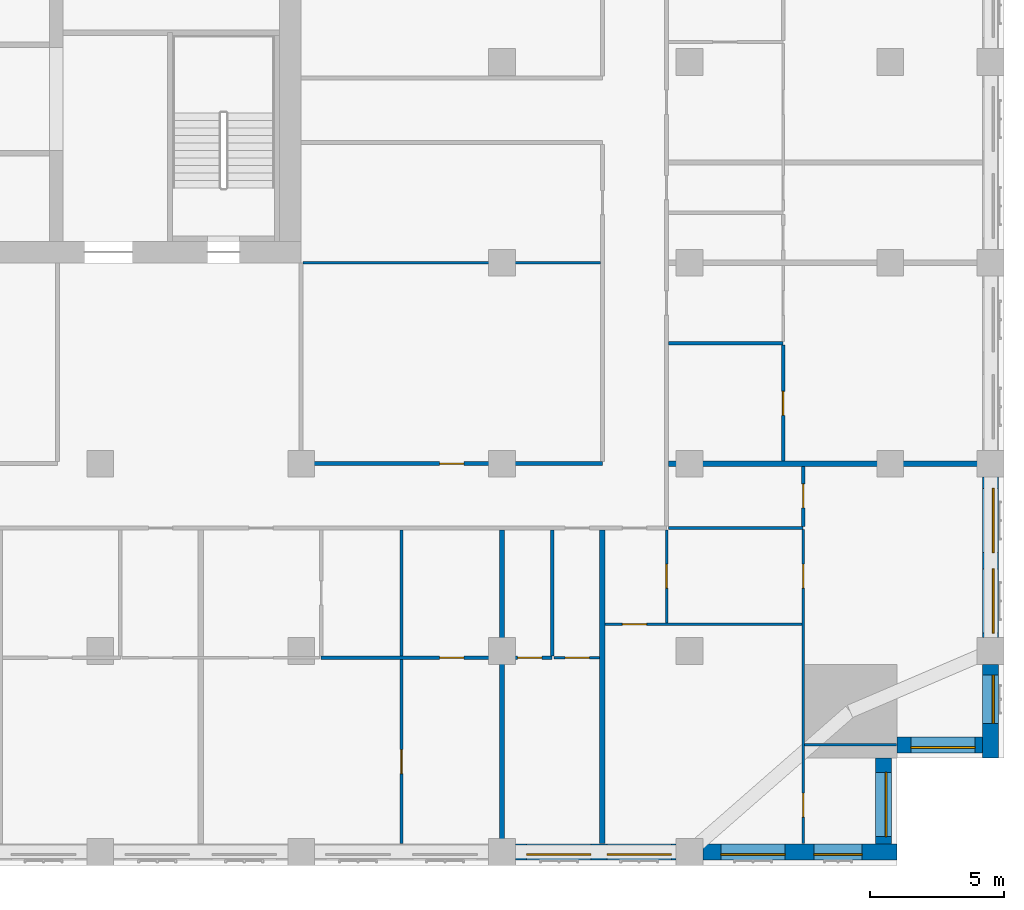
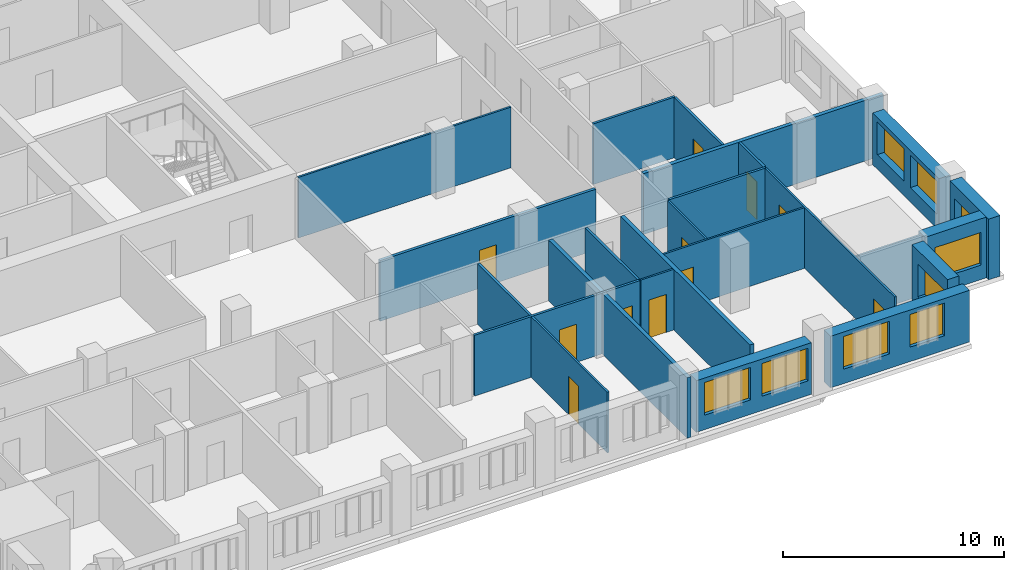
# One storey, part 6 of 14: 24 walls, 11 doors, 9 windows, 20 openings.
"""IFC4 building model written with IfcOpenShell, lengths in metres."""

from ifc_helpers import new_model, si_unit, direction, frame, frame_2d, origin, place, context, subcontext, project, spatial, rectangle, extrude, material, layer, layer_set, type_object, element, fill, save


model = new_model("IFC4")

# Units and contexts
model_context = context("Model", 3, precision=1e-05, world=origin(), true_north=direction((0.0, 1.0)))
body_context = subcontext(model_context, "Body", "Model", "MODEL_VIEW")
ifc_project = project(units=[si_unit("LENGTHUNIT", "METRE"), si_unit("AREAUNIT", "SQUARE_METRE"), si_unit("VOLUMEUNIT", "CUBIC_METRE"), si_unit("PLANEANGLEUNIT", "RADIAN"), si_unit("MASSUNIT", "GRAM", prefix="KILO")], contexts=[model_context])

# Site, building, storey
site_placement = place(None, origin())
site = spatial("IfcSite", under=ifc_project, at=site_placement, CompositionType="ELEMENT")
building_placement = place(site_placement, origin())
building = spatial("IfcBuilding", under=site, at=building_placement, Name="Tamorin Gate", CompositionType="ELEMENT")
storey_placement = place(building_placement, frame((0.0, 0.0, 133.800048828125)))
storey = spatial("IfcBuildingStorey", under=building, at=storey_placement, Name="L32", CompositionType="ELEMENT", Elevation=133.800048828125)

# Wall, openings, windows
ifc_material_1 = material(Name="Precast concrete C40/50", Category="concrete")
ifc_layer_1 = layer(ifc_material_1, 0.60009765625)
ifc_layer_set_1 = layer_set([ifc_layer_1], Name="Precast concrete C40/50")
wall_type_1 = type_object("IfcWallType", Name="Board-marked concrete facade panel 600", PredefinedType="SOLIDWALL", material=ifc_layer_set_1)
wall_1_placement = place(storey_placement, frame((68.0, 38.0, 0.0), z_axis=(0.0, 0.0, 1.0), x_axis=(1.0, 0.0, 0.0)))
wall_1 = element("IfcWall", 1, at=wall_1_placement, inside=storey, type_object=wall_type_1, Name="Facade panel", PredefinedType="SOLIDWALL", context=body_context, shape_type="SweptSolid", body=[
    extrude(rectangle(XDim=6.0, YDim=0.60009765625, at=frame_2d((3.0, 0.0))), origin(), (0.0, 0.0, 1.0), 2.849853515625),
])
opening_1_placement = place(wall_1_placement, frame((0.425048828125, 0.0, 0.800048828125)))
opening_1 = element("IfcOpeningElement", 2, at=opening_1_placement, cuts=wall_1, Name="Opening WN1", PredefinedType="OPENING", context=body_context, shape_type="SweptSolid", body=[
    extrude(rectangle(XDim=2.39990234375, YDim=1.800048828125, at=frame_2d((1.199951171875, 0.89990234375))), frame((0.0, 0.31005859375, 0.0), z_axis=(0.0, -1.0, 0.0), x_axis=(1.0, 0.0, 0.0)), (0.0, 0.0, 1.0), 0.6201171875),
])
opening_2_placement = place(wall_1_placement, frame((3.425048828125, 0.0, 0.800048828125)))
opening_2 = element("IfcOpeningElement", 3, at=opening_2_placement, cuts=wall_1, Name="Opening WN1", PredefinedType="OPENING", context=body_context, shape_type="SweptSolid", body=[
    extrude(rectangle(XDim=2.39990234375, YDim=1.800048828125, at=frame_2d((1.199951171875, 0.89990234375))), frame((0.0, 0.31005859375, 0.0), z_axis=(0.0, -1.0, 0.0), x_axis=(1.0, 0.0, 0.0)), (0.0, 0.0, 1.0), 0.6201171875),
])
ifc_material_2 = material(Name="Clear glass in aluminium frame", Category="aluminium")
window_type_1 = type_object("IfcWindowType", Name="Deep-set window 2400x1800", PartitioningType="SINGLE_PANEL", PredefinedType="WINDOW", material=ifc_material_2)
window_1_placement = place(opening_1_placement, origin())
window_1 = element("IfcWindow", 4, at=window_1_placement, inside=storey, type_object=window_type_1, Name="Deep-set window", OverallHeight=1.800048828125, OverallWidth=2.39990234375, PartitioningType="SINGLE_PANEL", PredefinedType="WINDOW", context=body_context, shape_type="SweptSolid", body=[
    extrude(rectangle(XDim=2.39990234375, YDim=1.800048828125, at=frame_2d((1.199951171875, 0.89990234375))), frame((0.0, -0.070068359375, 0.0), z_axis=(0.0, -1.0, 0.0), x_axis=(1.0, 0.0, 0.0)), (0.0, 0.0, 1.0), 0.06005859375),
])
fill(opening_1, window_1)
window_2_placement = place(opening_2_placement, origin())
window_2 = element("IfcWindow", 5, at=window_2_placement, inside=storey, type_object=window_type_1, Name="Deep-set window", OverallHeight=1.800048828125, OverallWidth=2.39990234375, PartitioningType="SINGLE_PANEL", PredefinedType="WINDOW", context=body_context, shape_type="SweptSolid", body=[
    extrude(rectangle(XDim=2.39990234375, YDim=1.800048828125, at=frame_2d((1.199951171875, 0.89990234375))), frame((0.0, -0.070068359375, 0.0), z_axis=(0.0, -1.0, 0.0), x_axis=(1.0, 0.0, 0.0)), (0.0, 0.0, 1.0), 0.06005859375),
])
fill(opening_2, window_2)

wall_2_placement = place(storey_placement, frame((75.0, 38.0, 0.0), z_axis=(0.0, 0.0, 1.0), x_axis=(1.0, 0.0, 0.0)))
wall_2 = element("IfcWall", 6, at=wall_2_placement, inside=storey, type_object=wall_type_1, Name="Facade panel", PredefinedType="SOLIDWALL", context=body_context, shape_type="SweptSolid", body=[
    extrude(rectangle(XDim=7.25, YDim=0.60009765625, at=frame_2d((3.625, 0.0))), origin(), (0.0, 0.0, 1.0), 2.849853515625),
])
opening_3_placement = place(wall_2_placement, frame((0.675048828125, 0.0, 0.800048828125)))
opening_3 = element("IfcOpeningElement", 7, at=opening_3_placement, cuts=wall_2, Name="Opening WN1", PredefinedType="OPENING", context=body_context, shape_type="SweptSolid", body=[
    extrude(rectangle(XDim=2.39990234375, YDim=1.800048828125, at=frame_2d((1.199951171875, 0.89990234375))), frame((0.0, 0.31005859375, 0.0), z_axis=(0.0, -1.0, 0.0), x_axis=(1.0, 0.0, 0.0)), (0.0, 0.0, 1.0), 0.6201171875),
])
opening_4_placement = place(wall_2_placement, frame((4.14990234375, 0.0, 0.800048828125)))
opening_4 = element("IfcOpeningElement", 8, at=opening_4_placement, cuts=wall_2, Name="Opening WN2", PredefinedType="OPENING", context=body_context, shape_type="SweptSolid", body=[
    extrude(rectangle(XDim=1.800048828125, YDim=1.800048828125, at=frame_2d((0.89990234375, 0.89990234375))), frame((0.0, 0.31005859375, 0.0), z_axis=(0.0, -1.0, 0.0), x_axis=(1.0, 0.0, 0.0)), (0.0, 0.0, 1.0), 0.6201171875),
])
window_type_2 = type_object("IfcWindowType", Name="Deep-set window 1800x1800", PartitioningType="SINGLE_PANEL", PredefinedType="WINDOW", material=ifc_material_2)
window_3_placement = place(opening_4_placement, origin())
window_3 = element("IfcWindow", 9, at=window_3_placement, inside=storey, type_object=window_type_2, Name="Deep-set window", OverallHeight=1.800048828125, OverallWidth=1.800048828125, PartitioningType="SINGLE_PANEL", PredefinedType="WINDOW", context=body_context, shape_type="SweptSolid", body=[
    extrude(rectangle(XDim=1.800048828125, YDim=1.800048828125, at=frame_2d((0.89990234375, 0.89990234375))), frame((0.0, -0.070068359375, 0.0), z_axis=(0.0, -1.0, 0.0), x_axis=(1.0, 0.0, 0.0)), (0.0, 0.0, 1.0), 0.06005859375),
])
fill(opening_4, window_3)
window_4_placement = place(opening_3_placement, origin())
window_4 = element("IfcWindow", 10, at=window_4_placement, inside=storey, type_object=window_type_1, Name="Deep-set window", OverallHeight=1.800048828125, OverallWidth=2.39990234375, PartitioningType="SINGLE_PANEL", PredefinedType="WINDOW", context=body_context, shape_type="SweptSolid", body=[
    extrude(rectangle(XDim=2.39990234375, YDim=1.800048828125, at=frame_2d((1.199951171875, 0.89990234375))), frame((0.0, -0.070068359375, 0.0), z_axis=(0.0, -1.0, 0.0), x_axis=(1.0, 0.0, 0.0)), (0.0, 0.0, 1.0), 0.06005859375),
])
fill(opening_3, window_4)

# Wall, opening, window
wall_3_placement = place(storey_placement, frame((81.75, 38.300048828125, 0.0), z_axis=(0.0, 0.0, 1.0), x_axis=(0.0, 1.0, 0.0)))
wall_3 = element("IfcWall", 11, at=wall_3_placement, inside=storey, type_object=wall_type_1, Name="Facade panel", PredefinedType="SOLIDWALL", context=body_context, shape_type="SweptSolid", body=[
    extrude(rectangle(XDim=3.199951171875, YDim=0.60009765625, at=frame_2d((1.60009765625, 0.0))), origin(), (0.0, 0.0, 1.0), 3.349853515625),
])
opening_5_placement = place(wall_3_placement, frame((0.27490234375, 0.0, 0.800048828125)))
opening_5 = element("IfcOpeningElement", 12, at=opening_5_placement, cuts=wall_3, Name="Opening WN1", PredefinedType="OPENING", context=body_context, shape_type="SweptSolid", body=[
    extrude(rectangle(XDim=2.39990234375, YDim=1.800048828125, at=frame_2d((1.199951171875, 0.89990234375))), frame((0.0, 0.31005859375, 0.0), z_axis=(0.0, -1.0, 0.0), x_axis=(1.0, 0.0, 0.0)), (0.0, 0.0, 1.0), 0.6201171875),
])
window_5_placement = place(opening_5_placement, origin())
window_5 = element("IfcWindow", 13, at=window_5_placement, inside=storey, type_object=window_type_1, Name="Deep-set window", OverallHeight=1.800048828125, OverallWidth=2.39990234375, PartitioningType="SINGLE_PANEL", PredefinedType="WINDOW", context=body_context, shape_type="SweptSolid", body=[
    extrude(rectangle(XDim=2.39990234375, YDim=1.800048828125, at=frame_2d((1.199951171875, 0.89990234375))), frame((0.0, -0.070068359375, 0.0), z_axis=(0.0, -1.0, 0.0), x_axis=(1.0, 0.0, 0.0)), (0.0, 0.0, 1.0), 0.06005859375),
])
fill(opening_5, window_5)

wall_4_placement = place(storey_placement, frame((82.25, 42.0, 0.0), z_axis=(0.0, 0.0, 1.0), x_axis=(1.0, 0.0, 0.0)))
wall_4 = element("IfcWall", 14, at=wall_4_placement, inside=storey, type_object=wall_type_1, Name="Facade panel", PredefinedType="SOLIDWALL", context=body_context, shape_type="SweptSolid", body=[
    extrude(rectangle(XDim=3.199951171875, YDim=0.60009765625, at=frame_2d((1.60009765625, 0.0))), origin(), (0.0, 0.0, 1.0), 3.349853515625),
])
opening_6_placement = place(wall_4_placement, frame((0.52490234375, 0.0, 0.800048828125)))
opening_6 = element("IfcOpeningElement", 15, at=opening_6_placement, cuts=wall_4, Name="Opening WN1", PredefinedType="OPENING", context=body_context, shape_type="SweptSolid", body=[
    extrude(rectangle(XDim=2.39990234375, YDim=1.800048828125, at=frame_2d((1.199951171875, 0.89990234375))), frame((0.0, 0.31005859375, 0.0), z_axis=(0.0, -1.0, 0.0), x_axis=(1.0, 0.0, 0.0)), (0.0, 0.0, 1.0), 0.6201171875),
])
window_6_placement = place(opening_6_placement, origin())
window_6 = element("IfcWindow", 16, at=window_6_placement, inside=storey, type_object=window_type_1, Name="Deep-set window", OverallHeight=1.800048828125, OverallWidth=2.39990234375, PartitioningType="SINGLE_PANEL", PredefinedType="WINDOW", context=body_context, shape_type="SweptSolid", body=[
    extrude(rectangle(XDim=2.39990234375, YDim=1.800048828125, at=frame_2d((1.199951171875, 0.89990234375))), frame((0.0, -0.070068359375, 0.0), z_axis=(0.0, -1.0, 0.0), x_axis=(1.0, 0.0, 0.0)), (0.0, 0.0, 1.0), 0.06005859375),
])
fill(opening_6, window_6)

wall_5_placement = place(storey_placement, frame((85.75, 41.5, 0.0), z_axis=(0.0, 0.0, 1.0), x_axis=(0.0, 1.0, 0.0)))
wall_5 = element("IfcWall", 17, at=wall_5_placement, inside=storey, type_object=wall_type_1, Name="Facade panel", PredefinedType="SOLIDWALL", context=body_context, shape_type="SweptSolid", body=[
    extrude(rectangle(XDim=3.5, YDim=0.60009765625, at=frame_2d((1.75, 0.0))), origin(), (0.0, 0.0, 1.0), 3.349853515625),
])
opening_7_placement = place(wall_5_placement, frame((1.300048828125, 0.0, 0.800048828125)))
opening_7 = element("IfcOpeningElement", 18, at=opening_7_placement, cuts=wall_5, Name="Opening WN2", PredefinedType="OPENING", context=body_context, shape_type="SweptSolid", body=[
    extrude(rectangle(XDim=1.800048828125, YDim=1.800048828125, at=frame_2d((0.89990234375, 0.89990234375))), frame((0.0, 0.31005859375, 0.0), z_axis=(0.0, -1.0, 0.0), x_axis=(1.0, 0.0, 0.0)), (0.0, 0.0, 1.0), 0.6201171875),
])
window_7_placement = place(opening_7_placement, origin())
window_7 = element("IfcWindow", 19, at=window_7_placement, inside=storey, type_object=window_type_2, Name="Deep-set window", OverallHeight=1.800048828125, OverallWidth=1.800048828125, PartitioningType="SINGLE_PANEL", PredefinedType="WINDOW", context=body_context, shape_type="SweptSolid", body=[
    extrude(rectangle(XDim=1.800048828125, YDim=1.800048828125, at=frame_2d((0.89990234375, 0.89990234375))), frame((0.0, -0.070068359375, 0.0), z_axis=(0.0, -1.0, 0.0), x_axis=(1.0, 0.0, 0.0)), (0.0, 0.0, 1.0), 0.06005859375),
])
fill(opening_7, window_7)

# Wall, openings, windows
wall_6_placement = place(storey_placement, frame((85.75, 46.0, 0.0), z_axis=(0.0, 0.0, 1.0), x_axis=(0.0, 1.0, 0.0)))
wall_6 = element("IfcWall", 20, at=wall_6_placement, inside=storey, type_object=wall_type_1, Name="Facade panel", PredefinedType="SOLIDWALL", context=body_context, shape_type="SweptSolid", body=[
    extrude(rectangle(XDim=6.0, YDim=0.60009765625, at=frame_2d((3.0, 0.0))), origin(), (0.0, 0.0, 1.0), 2.849853515625),
])
opening_8_placement = place(wall_6_placement, frame((0.175048828125, 0.0, 0.800048828125)))
opening_8 = element("IfcOpeningElement", 21, at=opening_8_placement, cuts=wall_6, Name="Opening WN1", PredefinedType="OPENING", context=body_context, shape_type="SweptSolid", body=[
    extrude(rectangle(XDim=2.39990234375, YDim=1.800048828125, at=frame_2d((1.199951171875, 0.89990234375))), frame((0.0, 0.31005859375, 0.0), z_axis=(0.0, -1.0, 0.0), x_axis=(1.0, 0.0, 0.0)), (0.0, 0.0, 1.0), 0.6201171875),
])
opening_9_placement = place(wall_6_placement, frame((3.175048828125, 0.0, 0.800048828125)))
opening_9 = element("IfcOpeningElement", 22, at=opening_9_placement, cuts=wall_6, Name="Opening WN1", PredefinedType="OPENING", context=body_context, shape_type="SweptSolid", body=[
    extrude(rectangle(XDim=2.39990234375, YDim=1.800048828125, at=frame_2d((1.199951171875, 0.89990234375))), frame((0.0, 0.31005859375, 0.0), z_axis=(0.0, -1.0, 0.0), x_axis=(1.0, 0.0, 0.0)), (0.0, 0.0, 1.0), 0.6201171875),
])
window_8_placement = place(opening_8_placement, origin())
window_8 = element("IfcWindow", 23, at=window_8_placement, inside=storey, type_object=window_type_1, Name="Deep-set window", OverallHeight=1.800048828125, OverallWidth=2.39990234375, PartitioningType="SINGLE_PANEL", PredefinedType="WINDOW", context=body_context, shape_type="SweptSolid", body=[
    extrude(rectangle(XDim=2.39990234375, YDim=1.800048828125, at=frame_2d((1.199951171875, 0.89990234375))), frame((0.0, -0.070068359375, 0.0), z_axis=(0.0, -1.0, 0.0), x_axis=(1.0, 0.0, 0.0)), (0.0, 0.0, 1.0), 0.06005859375),
])
fill(opening_8, window_8)
window_9_placement = place(opening_9_placement, origin())
window_9 = element("IfcWindow", 24, at=window_9_placement, inside=storey, type_object=window_type_1, Name="Deep-set window", OverallHeight=1.800048828125, OverallWidth=2.39990234375, PartitioningType="SINGLE_PANEL", PredefinedType="WINDOW", context=body_context, shape_type="SweptSolid", body=[
    extrude(rectangle(XDim=2.39990234375, YDim=1.800048828125, at=frame_2d((1.199951171875, 0.89990234375))), frame((0.0, -0.070068359375, 0.0), z_axis=(0.0, -1.0, 0.0), x_axis=(1.0, 0.0, 0.0)), (0.0, 0.0, 1.0), 0.06005859375),
])
fill(opening_9, window_9)

# Wall, opening, door
ifc_material_3 = material(Name="Gypsum board partition")
ifc_layer_2 = layer(ifc_material_3, 0.14990234375)
ifc_layer_set_2 = layer_set([ifc_layer_2], Name="Corridor wall 150")
wall_type_2 = type_object("IfcWallType", Name="Corridor wall 150", PredefinedType="PARTITIONING", material=ifc_layer_set_2)
wall_7_placement = place(storey_placement, frame((60.0, 52.5, 0.0), z_axis=(0.0, 0.0, 1.0), x_axis=(1.0, 0.0, 0.0)))
wall_7 = element("IfcWall", 25, at=wall_7_placement, inside=storey, type_object=wall_type_2, Name="Corridor wall 150", PredefinedType="PARTITIONING", context=body_context, shape_type="SweptSolid", body=[
    extrude(rectangle(XDim=11.25, YDim=0.14990234375, at=frame_2d((5.625, 0.0))), origin(), (0.0, 0.0, 1.0), 3.349853515625),
])
opening_10_placement = place(wall_7_placement, frame((5.175048828125, 0.0, 0.0)))
opening_10 = element("IfcOpeningElement", 26, at=opening_10_placement, cuts=wall_7, Name="Opening DS2069", PredefinedType="OPENING", context=body_context, shape_type="SweptSolid", body=[
    extrude(rectangle(XDim=0.89990234375, YDim=2.10009765625, at=frame_2d((0.449951171875, 1.050048828125))), frame((0.0, 0.0849609375, 0.0), z_axis=(0.0, -1.0, 0.0), x_axis=(1.0, 0.0, 0.0)), (0.0, 0.0, 1.0), 0.169921875),
])
ifc_material_4 = material(Name="Timber door leaf", Category="wood")
door_type_1 = type_object("IfcDoorType", Name="Door 900 x 2100 FD30S", OperationType="NOTDEFINED", PredefinedType="DOOR", material=ifc_material_4)
door_1_placement = place(opening_10_placement, origin())
door_1 = element("IfcDoor", 27, at=door_1_placement, inside=storey, type_object=door_type_1, Name="Door DS2069", OperationType="SINGLE_SWING_LEFT", OverallHeight=2.10009765625, OverallWidth=0.89990234375, PredefinedType="DOOR", context=body_context, shape_type="SweptSolid", body=[
    extrude(rectangle(XDim=0.89990234375, YDim=2.10009765625, at=frame_2d((0.449951171875, 1.050048828125))), frame((0.0, 0.02490234375, 0.0), z_axis=(0.0, -1.0, 0.0), x_axis=(1.0, 0.0, 0.0)), (0.0, 0.0, 1.0), 0.050048828125),
])
fill(opening_10, door_1)

# Walls
ifc_layer_3 = layer(ifc_material_3, 0.199951171875)
ifc_layer_set_3 = layer_set([ifc_layer_3], Name="Demising wall 200")
wall_type_3 = type_object("IfcWallType", Name="Demising wall 200", PredefinedType="PARTITIONING", material=ifc_layer_set_3)
for number, where, z_axis, x_axis, name in (
    (28, (73.72509765625, 52.5, 0.0), (0.0, 0.0, 1.0), (1.0, 0.0, 0.0), "Demising wall 200"),
    (29, (67.5, 37.5, 0.0), (0.0, 0.0, 1.0), (0.0, 1.0, 0.0), "Demising wall 200"),
):
    element("IfcWall", number, at=place(storey_placement, frame(where, z_axis=z_axis, x_axis=x_axis)), inside=storey, type_object=wall_type_3, Name=name, PredefinedType="PARTITIONING", context=body_context, shape_type="SweptSolid", body=[
        extrude(rectangle(XDim=12.52490234375, YDim=0.199951171875, at=frame_2d((6.262451171875, 0.0))), origin(), (0.0, 0.0, 1.0), 3.349853515625),
    ])
wall_8_placement = place(storey_placement, frame((71.25, 38.31005859375, 0.0), z_axis=(0.0, 0.0, 1.0), x_axis=(0.0, 1.0, 0.0)))
element("IfcWall", 30, at=wall_8_placement, inside=storey, type_object=wall_type_3, Name="Demising wall 200", PredefinedType="PARTITIONING", context=body_context, shape_type="SweptSolid", body=[
    extrude(rectangle(XDim=11.71484375, YDim=0.199951171875, at=frame_2d((5.857421875, 0.0))), origin(), (0.0, 0.0, 1.0), 3.349853515625),
])
ifc_layer_4 = layer(ifc_material_3, 0.10009765625)
ifc_layer_set_4 = layer_set([ifc_layer_4], Name="Room partition 100")
wall_type_4 = type_object("IfcWallType", Name="Room partition 100", PredefinedType="PARTITIONING", material=ifc_layer_set_4)
wall_9_placement = place(storey_placement, frame((78.800048828125, 42.0, 0.0), z_axis=(0.0, 0.0, 1.0), x_axis=(1.0, 0.0, 0.0)))
element("IfcWall", 31, at=wall_9_placement, inside=storey, type_object=wall_type_4, Name="Room partition 100", PredefinedType="PARTITIONING", context=body_context, shape_type="SweptSolid", body=[
    extrude(rectangle(XDim=3.43994140625, YDim=0.10009765625, at=frame_2d((1.719970703125, 0.0))), origin(), (0.0, 0.0, 1.0), 3.349853515625),
])

# Wall, opening, door
wall_10_placement = place(storey_placement, frame((69.4375, 45.25, 0.0), z_axis=(0.0, 0.0, 1.0), x_axis=(1.0, 0.0, 0.0)))
wall_10 = element("IfcWall", 32, at=wall_10_placement, inside=storey, type_object=wall_type_4, Name="Room partition 100", PredefinedType="PARTITIONING", context=body_context, shape_type="SweptSolid", body=[
    extrude(rectangle(XDim=1.71240234375, YDim=0.10009765625, at=frame_2d((0.856201171875, 0.0))), origin(), (0.0, 0.0, 1.0), 3.349853515625),
])
opening_11_placement = place(wall_10_placement, frame((0.425048828125, 0.0, 0.0)))
opening_11 = element("IfcOpeningElement", 33, at=opening_11_placement, cuts=wall_10, Name="Opening DS2018", PredefinedType="OPENING", context=body_context, shape_type="SweptSolid", body=[
    extrude(rectangle(XDim=0.89990234375, YDim=2.10009765625, at=frame_2d((0.449951171875, 1.050048828125))), frame((0.0, 0.06005859375, 0.0), z_axis=(0.0, -1.0, 0.0), x_axis=(1.0, 0.0, 0.0)), (0.0, 0.0, 1.0), 0.1201171875),
])
door_type_2 = type_object("IfcDoorType", Name="Door 900 x 2100", OperationType="NOTDEFINED", PredefinedType="DOOR", material=ifc_material_4)
door_2_placement = place(opening_11_placement, origin())
door_2 = element("IfcDoor", 34, at=door_2_placement, inside=storey, type_object=door_type_2, Name="Door DS2018", OperationType="SINGLE_SWING_LEFT", OverallHeight=2.10009765625, OverallWidth=0.89990234375, PredefinedType="DOOR", context=body_context, shape_type="SweptSolid", body=[
    extrude(rectangle(XDim=0.89990234375, YDim=2.10009765625, at=frame_2d((0.449951171875, 1.050048828125))), frame((0.0, 0.02490234375, 0.0), z_axis=(0.0, -1.0, 0.0), x_axis=(1.0, 0.0, 0.0)), (0.0, 0.0, 1.0), 0.050048828125),
])
fill(opening_11, door_2)

wall_11_placement = place(storey_placement, frame((71.35009765625, 46.5, 0.0), z_axis=(0.0, 0.0, 1.0), x_axis=(1.0, 0.0, 0.0)))
wall_11 = element("IfcWall", 35, at=wall_11_placement, inside=storey, type_object=wall_type_4, Name="Room partition 100", PredefinedType="PARTITIONING", context=body_context, shape_type="SweptSolid", body=[
    extrude(rectangle(XDim=7.349853515625, YDim=0.10009765625, at=frame_2d((3.6748046875, 0.0))), origin(), (0.0, 0.0, 1.0), 3.349853515625),
])
opening_12_placement = place(wall_11_placement, frame((0.64990234375, 0.0, 0.0)))
opening_12 = element("IfcOpeningElement", 36, at=opening_12_placement, cuts=wall_11, Name="Opening DS2055", PredefinedType="OPENING", context=body_context, shape_type="SweptSolid", body=[
    extrude(rectangle(XDim=0.89990234375, YDim=2.10009765625, at=frame_2d((0.449951171875, 1.050048828125))), frame((0.0, 0.06005859375, 0.0), z_axis=(0.0, -1.0, 0.0), x_axis=(1.0, 0.0, 0.0)), (0.0, 0.0, 1.0), 0.1201171875),
])
door_3_placement = place(opening_12_placement, origin())
door_3 = element("IfcDoor", 37, at=door_3_placement, inside=storey, type_object=door_type_2, Name="Door DS2055", OperationType="SINGLE_SWING_RIGHT", OverallHeight=2.10009765625, OverallWidth=0.89990234375, PredefinedType="DOOR", context=body_context, shape_type="SweptSolid", body=[
    extrude(rectangle(XDim=0.89990234375, YDim=2.10009765625, at=frame_2d((0.449951171875, 1.050048828125))), frame((0.0, 0.02490234375, 0.0), z_axis=(0.0, -1.0, 0.0), x_axis=(1.0, 0.0, 0.0)), (0.0, 0.0, 1.0), 0.050048828125),
])
fill(opening_12, door_3)

# Wall
wall_12_placement = place(storey_placement, frame((60.074951171875, 60.0, 0.0), z_axis=(0.0, 0.0, 1.0), x_axis=(1.0, 0.0, 0.0)))
element("IfcWall", 38, at=wall_12_placement, inside=storey, type_object=wall_type_4, Name="Room partition 100", PredefinedType="PARTITIONING", context=body_context, shape_type="SweptSolid", body=[
    extrude(rectangle(XDim=11.10009765625, YDim=0.10009765625, at=frame_2d((5.550048828125, 0.0))), origin(), (0.0, 0.0, 1.0), 3.349853515625),
])

# Wall, opening, door
wall_13_placement = place(storey_placement, frame((63.75, 38.31005859375, 0.0), z_axis=(0.0, 0.0, 1.0), x_axis=(0.0, 1.0, 0.0)))
wall_13 = element("IfcWall", 39, at=wall_13_placement, inside=storey, type_object=wall_type_4, Name="Room partition 100", PredefinedType="PARTITIONING", context=body_context, shape_type="SweptSolid", body=[
    extrude(rectangle(XDim=6.87744140625, YDim=0.10009765625, at=frame_2d((3.438720703125, 0.0))), origin(), (0.0, 0.0, 1.0), 3.349853515625),
])
opening_13_placement = place(wall_13_placement, frame((2.614990234375, 0.0, 0.0)))
opening_13 = element("IfcOpeningElement", 40, at=opening_13_placement, cuts=wall_13, Name="Opening DS2015", PredefinedType="OPENING", context=body_context, shape_type="SweptSolid", body=[
    extrude(rectangle(XDim=0.89990234375, YDim=2.10009765625, at=frame_2d((0.449951171875, 1.050048828125))), frame((0.0, 0.06005859375, 0.0), z_axis=(0.0, -1.0, 0.0), x_axis=(1.0, 0.0, 0.0)), (0.0, 0.0, 1.0), 0.1201171875),
])
door_4_placement = place(opening_13_placement, origin())
door_4 = element("IfcDoor", 41, at=door_4_placement, inside=storey, type_object=door_type_2, Name="Door DS2015", OperationType="SINGLE_SWING_LEFT", OverallHeight=2.10009765625, OverallWidth=0.89990234375, PredefinedType="DOOR", context=body_context, shape_type="SweptSolid", body=[
    extrude(rectangle(XDim=0.89990234375, YDim=2.10009765625, at=frame_2d((0.449951171875, 1.050048828125))), frame((0.0, 0.02490234375, 0.0), z_axis=(0.0, -1.0, 0.0), x_axis=(1.0, 0.0, 0.0)), (0.0, 0.0, 1.0), 0.050048828125),
])
fill(opening_13, door_4)

wall_14_placement = place(storey_placement, frame((73.64990234375, 46.550048828125, 0.0), z_axis=(0.0, 0.0, 1.0), x_axis=(0.0, 1.0, 0.0)))
wall_14 = element("IfcWall", 42, at=wall_14_placement, inside=storey, type_object=wall_type_4, Name="Room partition 100", PredefinedType="PARTITIONING", context=body_context, shape_type="SweptSolid", body=[
    extrude(rectangle(XDim=3.474853515625, YDim=0.10009765625, at=frame_2d((1.7373046875, 0.0))), origin(), (0.0, 0.0, 1.0), 3.349853515625),
])
opening_14_placement = place(wall_14_placement, frame((1.300048828125, 0.0, 0.0)))
opening_14 = element("IfcOpeningElement", 43, at=opening_14_placement, cuts=wall_14, Name="Opening DS2056", PredefinedType="OPENING", context=body_context, shape_type="SweptSolid", body=[
    extrude(rectangle(XDim=0.89990234375, YDim=2.10009765625, at=frame_2d((0.449951171875, 1.050048828125))), frame((0.0, 0.06005859375, 0.0), z_axis=(0.0, -1.0, 0.0), x_axis=(1.0, 0.0, 0.0)), (0.0, 0.0, 1.0), 0.1201171875),
])
door_5_placement = place(opening_14_placement, origin())
door_5 = element("IfcDoor", 44, at=door_5_placement, inside=storey, type_object=door_type_2, Name="Door DS2056", OperationType="SINGLE_SWING_RIGHT", OverallHeight=2.10009765625, OverallWidth=0.89990234375, PredefinedType="DOOR", context=body_context, shape_type="SweptSolid", body=[
    extrude(rectangle(XDim=0.89990234375, YDim=2.10009765625, at=frame_2d((0.449951171875, 1.050048828125))), frame((0.0, 0.02490234375, 0.0), z_axis=(0.0, -1.0, 0.0), x_axis=(1.0, 0.0, 0.0)), (0.0, 0.0, 1.0), 0.050048828125),
])
fill(opening_14, door_5)

# Wall, openings, doors
wall_15_placement = place(storey_placement, frame((78.75, 38.31005859375, 0.0), z_axis=(0.0, 0.0, 1.0), x_axis=(0.0, 1.0, 0.0)))
wall_15 = element("IfcWall", 45, at=wall_15_placement, inside=storey, type_object=wall_type_4, Name="Room partition 100", PredefinedType="PARTITIONING", context=body_context, shape_type="SweptSolid", body=[
    extrude(rectangle(XDim=11.7275390625, YDim=0.10009765625, at=frame_2d((5.86376953125, 0.0))), origin(), (0.0, 0.0, 1.0), 3.349853515625),
])
opening_15_placement = place(wall_15_placement, frame((0.989990234375, 0.0, 0.0)))
opening_15 = element("IfcOpeningElement", 46, at=opening_15_placement, cuts=wall_15, Name="Opening DS2057", PredefinedType="OPENING", context=body_context, shape_type="SweptSolid", body=[
    extrude(rectangle(XDim=0.89990234375, YDim=2.10009765625, at=frame_2d((0.449951171875, 1.050048828125))), frame((0.0, 0.06005859375, 0.0), z_axis=(0.0, -1.0, 0.0), x_axis=(1.0, 0.0, 0.0)), (0.0, 0.0, 1.0), 0.1201171875),
])
opening_16_placement = place(wall_15_placement, frame((9.5400390625, 0.0, 0.0)))
opening_16 = element("IfcOpeningElement", 47, at=opening_16_placement, cuts=wall_15, Name="Opening DS2058", PredefinedType="OPENING", context=body_context, shape_type="SweptSolid", body=[
    extrude(rectangle(XDim=0.89990234375, YDim=2.10009765625, at=frame_2d((0.449951171875, 1.050048828125))), frame((0.0, 0.06005859375, 0.0), z_axis=(0.0, -1.0, 0.0), x_axis=(1.0, 0.0, 0.0)), (0.0, 0.0, 1.0), 0.1201171875),
])
door_6_placement = place(opening_15_placement, origin())
door_6 = element("IfcDoor", 48, at=door_6_placement, inside=storey, type_object=door_type_2, Name="Door DS2057", OperationType="SINGLE_SWING_LEFT", OverallHeight=2.10009765625, OverallWidth=0.89990234375, PredefinedType="DOOR", context=body_context, shape_type="SweptSolid", body=[
    extrude(rectangle(XDim=0.89990234375, YDim=2.10009765625, at=frame_2d((0.449951171875, 1.050048828125))), frame((0.0, 0.02490234375, 0.0), z_axis=(0.0, -1.0, 0.0), x_axis=(1.0, 0.0, 0.0)), (0.0, 0.0, 1.0), 0.050048828125),
])
fill(opening_15, door_6)
door_7_placement = place(opening_16_placement, origin())
door_7 = element("IfcDoor", 49, at=door_7_placement, inside=storey, type_object=door_type_2, Name="Door DS2058", OperationType="SINGLE_SWING_RIGHT", OverallHeight=2.10009765625, OverallWidth=0.89990234375, PredefinedType="DOOR", context=body_context, shape_type="SweptSolid", body=[
    extrude(rectangle(XDim=0.89990234375, YDim=2.10009765625, at=frame_2d((0.449951171875, 1.050048828125))), frame((0.0, 0.02490234375, 0.0), z_axis=(0.0, -1.0, 0.0), x_axis=(1.0, 0.0, 0.0)), (0.0, 0.0, 1.0), 0.050048828125),
])
fill(opening_16, door_7)

ifc_layer_5 = layer(ifc_material_3, 0.125)
ifc_layer_set_5 = layer_set([ifc_layer_5], Name="Wet wall 125")
wall_type_5 = type_object("IfcWallType", Name="Wet wall 125", PredefinedType="PARTITIONING", material=ifc_layer_set_5)
wall_16_placement = place(storey_placement, frame((60.75, 45.25, 0.0), z_axis=(0.0, 0.0, 1.0), x_axis=(1.0, 0.0, 0.0)))
wall_16 = element("IfcWall", 50, at=wall_16_placement, inside=storey, type_object=wall_type_5, Name="Wet wall 125", PredefinedType="PARTITIONING", context=body_context, shape_type="SweptSolid", body=[
    extrude(rectangle(XDim=8.625, YDim=0.125, at=frame_2d((4.3125, 0.0))), origin(), (0.0, 0.0, 1.0), 3.349853515625),
])
opening_17_placement = place(wall_16_placement, frame((4.425048828125, 0.0, 0.0)))
opening_17 = element("IfcOpeningElement", 51, at=opening_17_placement, cuts=wall_16, Name="Opening DS2014", PredefinedType="OPENING", context=body_context, shape_type="SweptSolid", body=[
    extrude(rectangle(XDim=0.89990234375, YDim=2.10009765625, at=frame_2d((0.449951171875, 1.050048828125))), frame((0.0, 0.072509765625, 0.0), z_axis=(0.0, -1.0, 0.0), x_axis=(1.0, 0.0, 0.0)), (0.0, 0.0, 1.0), 0.14501953125),
])
opening_18_placement = place(wall_16_placement, frame((7.33740234375, 0.0, 0.0)))
opening_18 = element("IfcOpeningElement", 52, at=opening_18_placement, cuts=wall_16, Name="Opening DS2016", PredefinedType="OPENING", context=body_context, shape_type="SweptSolid", body=[
    extrude(rectangle(XDim=0.89990234375, YDim=2.10009765625, at=frame_2d((0.449951171875, 1.050048828125))), frame((0.0, 0.072509765625, 0.0), z_axis=(0.0, -1.0, 0.0), x_axis=(1.0, 0.0, 0.0)), (0.0, 0.0, 1.0), 0.14501953125),
])
door_8_placement = place(opening_17_placement, origin())
door_8 = element("IfcDoor", 53, at=door_8_placement, inside=storey, type_object=door_type_2, Name="Door DS2014", OperationType="SINGLE_SWING_LEFT", OverallHeight=2.10009765625, OverallWidth=0.89990234375, PredefinedType="DOOR", context=body_context, shape_type="SweptSolid", body=[
    extrude(rectangle(XDim=0.89990234375, YDim=2.10009765625, at=frame_2d((0.449951171875, 1.050048828125))), frame((0.0, 0.02490234375, 0.0), z_axis=(0.0, -1.0, 0.0), x_axis=(1.0, 0.0, 0.0)), (0.0, 0.0, 1.0), 0.050048828125),
])
fill(opening_17, door_8)
door_9_placement = place(opening_18_placement, origin())
door_9 = element("IfcDoor", 54, at=door_9_placement, inside=storey, type_object=door_type_2, Name="Door DS2016", OperationType="SINGLE_SWING_RIGHT", OverallHeight=2.10009765625, OverallWidth=0.89990234375, PredefinedType="DOOR", context=body_context, shape_type="SweptSolid", body=[
    extrude(rectangle(XDim=0.89990234375, YDim=2.10009765625, at=frame_2d((0.449951171875, 1.050048828125))), frame((0.0, 0.02490234375, 0.0), z_axis=(0.0, -1.0, 0.0), x_axis=(1.0, 0.0, 0.0)), (0.0, 0.0, 1.0), 0.050048828125),
])
fill(opening_18, door_9)

# Walls
wall_17_placement = place(storey_placement, frame((73.72509765625, 50.10009765625, 0.0), z_axis=(0.0, 0.0, 1.0), x_axis=(1.0, 0.0, 0.0)))
element("IfcWall", 55, at=wall_17_placement, inside=storey, type_object=wall_type_5, Name="Wet wall 125", PredefinedType="PARTITIONING", context=body_context, shape_type="SweptSolid", body=[
    extrude(rectangle(XDim=5.02490234375, YDim=0.125, at=frame_2d((2.512451171875, 0.0))), origin(), (0.0, 0.0, 1.0), 3.349853515625),
])
wall_18_placement = place(storey_placement, frame((73.72509765625, 57.0, 0.0), z_axis=(0.0, 0.0, 1.0), x_axis=(1.0, 0.0, 0.0)))
element("IfcWall", 56, at=wall_18_placement, inside=storey, type_object=wall_type_5, Name="Wet wall 125", PredefinedType="PARTITIONING", context=body_context, shape_type="SweptSolid", body=[
    extrude(rectangle(XDim=4.27490234375, YDim=0.125, at=frame_2d((2.137451171875, 0.0))), origin(), (0.0, 0.0, 1.0), 3.349853515625),
])
for number, where, z_axis, x_axis, name in (
    (57, (63.75, 45.3125, 0.0), (0.0, 0.0, 1.0), (0.0, 1.0, 0.0), "Wet wall 125"),
    (58, (69.375, 45.3125, 0.0), (0.0, 0.0, 1.0), (0.0, 1.0, 0.0), "Wet wall 125"),
):
    element("IfcWall", number, at=place(storey_placement, frame(where, z_axis=z_axis, x_axis=x_axis)), inside=storey, type_object=wall_type_5, Name=name, PredefinedType="PARTITIONING", context=body_context, shape_type="SweptSolid", body=[
        extrude(rectangle(XDim=4.71240234375, YDim=0.125, at=frame_2d((2.356201171875, 0.0))), origin(), (0.0, 0.0, 1.0), 3.349853515625),
    ])

# Wall, opening, door
wall_19_placement = place(storey_placement, frame((78.0, 52.60009765625, 0.0), z_axis=(0.0, 0.0, 1.0), x_axis=(0.0, 1.0, 0.0)))
wall_19 = element("IfcWall", 59, at=wall_19_placement, inside=storey, type_object=wall_type_5, Name="Wet wall 125", PredefinedType="PARTITIONING", context=body_context, shape_type="SweptSolid", body=[
    extrude(rectangle(XDim=4.33740234375, YDim=0.125, at=frame_2d((2.168701171875, 0.0))), origin(), (0.0, 0.0, 1.0), 3.349853515625),
])
opening_19_placement = place(wall_19_placement, frame((1.699951171875, 0.0, 0.0)))
opening_19 = element("IfcOpeningElement", 60, at=opening_19_placement, cuts=wall_19, Name="Opening DS2037", PredefinedType="OPENING", context=body_context, shape_type="SweptSolid", body=[
    extrude(rectangle(XDim=0.89990234375, YDim=2.10009765625, at=frame_2d((0.449951171875, 1.050048828125))), frame((0.0, 0.072509765625, 0.0), z_axis=(0.0, -1.0, 0.0), x_axis=(1.0, 0.0, 0.0)), (0.0, 0.0, 1.0), 0.14501953125),
])
door_10_placement = place(opening_19_placement, origin())
door_10 = element("IfcDoor", 61, at=door_10_placement, inside=storey, type_object=door_type_2, Name="Door DS2037", OperationType="SINGLE_SWING_LEFT", OverallHeight=2.10009765625, OverallWidth=0.89990234375, PredefinedType="DOOR", context=body_context, shape_type="SweptSolid", body=[
    extrude(rectangle(XDim=0.89990234375, YDim=2.10009765625, at=frame_2d((0.449951171875, 1.050048828125))), frame((0.0, 0.02490234375, 0.0), z_axis=(0.0, -1.0, 0.0), x_axis=(1.0, 0.0, 0.0)), (0.0, 0.0, 1.0), 0.050048828125),
])
fill(opening_19, door_10)

wall_20_placement = place(storey_placement, frame((78.75, 50.16259765625, 0.0), z_axis=(0.0, 0.0, 1.0), x_axis=(0.0, 1.0, 0.0)))
wall_20 = element("IfcWall", 62, at=wall_20_placement, inside=storey, type_object=wall_type_5, Name="Wet wall 125", PredefinedType="PARTITIONING", context=body_context, shape_type="SweptSolid", body=[
    extrude(rectangle(XDim=2.2373046875, YDim=0.125, at=frame_2d((1.11865234375, 0.0))), origin(), (0.0, 0.0, 1.0), 3.349853515625),
])
opening_20_placement = place(wall_20_placement, frame((0.6875, 0.0, 0.0)))
opening_20 = element("IfcOpeningElement", 63, at=opening_20_placement, cuts=wall_20, Name="Opening DS2059", PredefinedType="OPENING", context=body_context, shape_type="SweptSolid", body=[
    extrude(rectangle(XDim=0.89990234375, YDim=2.10009765625, at=frame_2d((0.449951171875, 1.050048828125))), frame((0.0, 0.072509765625, 0.0), z_axis=(0.0, -1.0, 0.0), x_axis=(1.0, 0.0, 0.0)), (0.0, 0.0, 1.0), 0.14501953125),
])
door_11_placement = place(opening_20_placement, origin())
door_11 = element("IfcDoor", 64, at=door_11_placement, inside=storey, type_object=door_type_2, Name="Door DS2059", OperationType="SINGLE_SWING_LEFT", OverallHeight=2.10009765625, OverallWidth=0.89990234375, PredefinedType="DOOR", context=body_context, shape_type="SweptSolid", body=[
    extrude(rectangle(XDim=0.89990234375, YDim=2.10009765625, at=frame_2d((0.449951171875, 1.050048828125))), frame((0.0, 0.02490234375, 0.0), z_axis=(0.0, -1.0, 0.0), x_axis=(1.0, 0.0, 0.0)), (0.0, 0.0, 1.0), 0.050048828125),
])
fill(opening_20, door_11)

save(model, "model.ifc")
